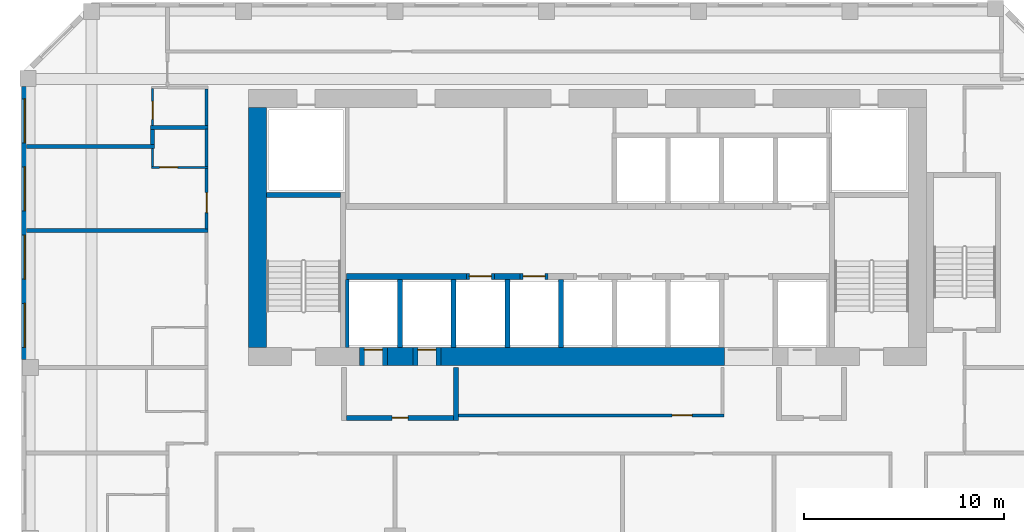
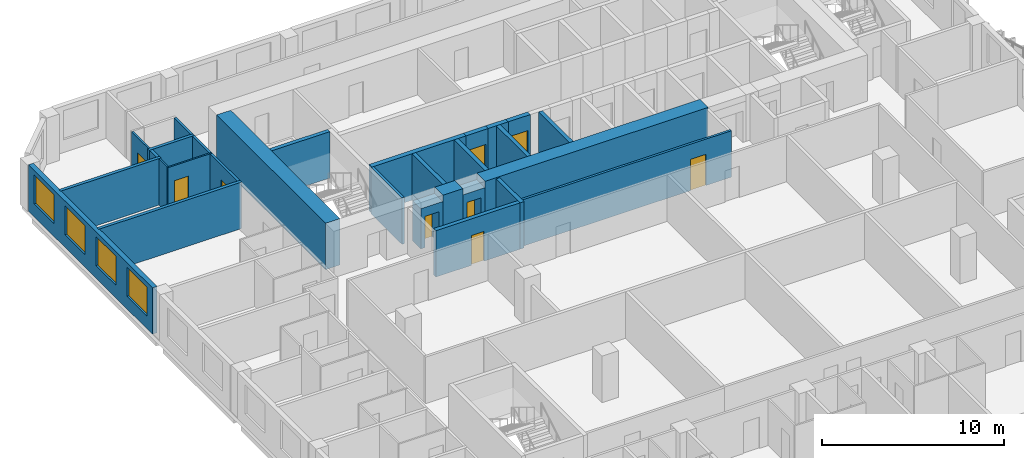
# One storey, part 7 of 23: 29 walls, 9 doors, 4 windows, 13 openings.
"""IFC4 building model written with IfcOpenShell, lengths in metres."""

from ifc_helpers import new_model, si_unit, direction, frame, frame_2d, origin, place, context, subcontext, project, spatial, rectangle, extrude, source, transform, mapped, material, layer, layer_set, type_object, element, fill, save


model = new_model("IFC4")

# Units and contexts
model_context = context("Model", 3, precision=1e-05, world=origin(), true_north=direction((0.0, 1.0)))
body_context = subcontext(model_context, "Body", "Model", "MODEL_VIEW")
ifc_project = project(units=[si_unit("LENGTHUNIT", "METRE"), si_unit("AREAUNIT", "SQUARE_METRE"), si_unit("VOLUMEUNIT", "CUBIC_METRE"), si_unit("PLANEANGLEUNIT", "RADIAN"), si_unit("MASSUNIT", "GRAM", prefix="KILO")], contexts=[model_context])

# Site, building, storey
site_placement = place(None, origin())
site = spatial("IfcSite", under=ifc_project, at=site_placement, CompositionType="ELEMENT")
building_placement = place(site_placement, origin())
building = spatial("IfcBuilding", under=site, at=building_placement, Name="Kilnfold Tower and Market Hall", CompositionType="ELEMENT")
storey_placement = place(building_placement, frame((0.0, 0.0, 178.699951171875)))
storey = spatial("IfcBuildingStorey", under=building, at=storey_placement, Name="L42", CompositionType="ELEMENT", Elevation=178.699951171875)

# Wall, opening, door
ifc_material_1 = material(Name="Gypsum board on steel studs", Category="steel")
ifc_layer_1 = layer(ifc_material_1, 0.14990234375)
ifc_layer_set_1 = layer_set([ifc_layer_1], Name="Gypsum board on steel studs")
wall_type_1 = type_object("IfcWallType", Name="WALL CORRIDOR 150", PredefinedType="PARTITIONING", material=ifc_layer_set_1)
wall_1_placement = place(storey_placement, frame((-18.0, 14.927001953125, 0.0), z_axis=(0.0, 0.0, 1.0), x_axis=(0.0, 1.0, 0.0)))
wall_1 = element("IfcWall", 1, at=wall_1_placement, inside=storey, type_object=wall_type_1, Name="Partition LY27.24", PredefinedType="PARTITIONING", context=body_context, shape_type="SweptSolid", body=[
    extrude(rectangle(XDim=3.032958984375, YDim=0.14990234375, at=frame_2d((1.5166015625, 0.0))), origin(), (0.0, 0.0, 1.0), 3.1201171875),
])
opening_1_placement = place(wall_1_placement, frame((0.81201171875, 0.0, 0.0)))
opening_1 = element("IfcOpeningElement", 2, at=opening_1_placement, cuts=wall_1, Name="Opening D1", PredefinedType="OPENING", context=body_context, shape_type="SweptSolid", body=[
    extrude(rectangle(XDim=1.0, YDim=2.10009765625, at=frame_2d((0.5, 1.050048828125))), frame((0.0, 0.0849609375, 0.0), z_axis=(0.0, -1.0, 0.0), x_axis=(1.0, 0.0, 0.0)), (0.0, 0.0, 1.0), 0.169921875),
])
ifc_material_2 = material(Name="Timber veneer door leaf in steel frame", Category="steel")
door_type_1 = type_object("IfcDoorType", Name="DOOR ENTRY 1000 X2100", OperationType="NOTDEFINED", PredefinedType="DOOR", material=ifc_material_2)
door_1_placement = place(opening_1_placement, origin())
door_1 = element("IfcDoor", 3, at=door_1_placement, inside=storey, type_object=door_type_1, Name="Door D1", OperationType="SINGLE_SWING_LEFT", OverallHeight=2.10009765625, OverallWidth=1.0, PredefinedType="DOOR", context=body_context, shape_type="SweptSolid", body=[
    extrude(rectangle(XDim=1.0, YDim=2.10009765625, at=frame_2d((0.5, 1.050048828125))), frame((0.0, 0.02490234375, 0.0), z_axis=(0.0, -1.0, 0.0), x_axis=(1.0, 0.0, 0.0)), (0.0, 0.0, 1.0), 0.050048828125),
])
fill(opening_1, door_1)

# Walls
wall_2_placement = place(storey_placement, frame((-18.0, 18.0400390625, 0.0), z_axis=(0.0, 0.0, 1.0), x_axis=(0.0, 1.0, 0.0)))
element("IfcWall", 4, at=wall_2_placement, inside=storey, type_object=wall_type_1, Name="Partition LY27.25", PredefinedType="PARTITIONING", context=body_context, shape_type="SweptSolid", body=[
    extrude(rectangle(XDim=1.869873046875, YDim=0.14990234375, at=frame_2d((0.93505859375, 0.0))), origin(), (0.0, 0.0, 1.0), 3.1201171875),
])
wall_3_placement = place(storey_placement, frame((-18.0, 20.090087890625, 0.0), z_axis=(0.0, 0.0, 1.0), x_axis=(0.0, 1.0, 0.0)))
element("IfcWall", 5, at=wall_3_placement, inside=storey, type_object=wall_type_1, Name="Partition LY27.27", PredefinedType="PARTITIONING", context=body_context, shape_type="SweptSolid", body=[
    extrude(rectangle(XDim=1.8349609375, YDim=0.14990234375, at=frame_2d((0.91748046875, 0.0))), origin(), (0.0, 0.0, 1.0), 3.1201171875),
])

# Wall, opening, door
wall_4_placement = place(storey_placement, frame((7.875, 5.60009765625, 0.0), z_axis=(0.0, 0.0, 1.0), x_axis=(-1.0, 0.0, 0.0)))
wall_4 = element("IfcWall", 6, at=wall_4_placement, inside=storey, type_object=wall_type_1, Name="Partition LY27.40", PredefinedType="PARTITIONING", context=body_context, shape_type="SweptSolid", body=[
    extrude(rectangle(XDim=13.27490234375, YDim=0.14990234375, at=frame_2d((6.637451171875, 0.0))), origin(), (0.0, 0.0, 1.0), 3.1201171875),
])
opening_2_placement = place(wall_4_placement, frame((1.60888671875, 0.0, 0.0)))
opening_2 = element("IfcOpeningElement", 7, at=opening_2_placement, cuts=wall_4, Name="Opening D1", PredefinedType="OPENING", context=body_context, shape_type="SweptSolid", body=[
    extrude(rectangle(XDim=1.0, YDim=2.10009765625, at=frame_2d((0.5, 1.050048828125))), frame((0.0, 0.0849609375, 0.0), z_axis=(0.0, -1.0, 0.0), x_axis=(1.0, 0.0, 0.0)), (0.0, 0.0, 1.0), 0.169921875),
])
door_2_placement = place(opening_2_placement, origin())
door_2 = element("IfcDoor", 8, at=door_2_placement, inside=storey, type_object=door_type_1, Name="Door D1", OperationType="SINGLE_SWING_LEFT", OverallHeight=2.10009765625, OverallWidth=1.0, PredefinedType="DOOR", context=body_context, shape_type="SweptSolid", body=[
    extrude(rectangle(XDim=1.0, YDim=2.10009765625, at=frame_2d((0.5, 1.050048828125))), frame((0.0, 0.02490234375, 0.0), z_axis=(0.0, -1.0, 0.0), x_axis=(1.0, 0.0, 0.0)), (0.0, 0.0, 1.0), 0.050048828125),
])
fill(opening_2, door_2)

ifc_material_3 = material(Name="Gypsum board on steel studs", Category="steel")
ifc_layer_2 = layer(ifc_material_3, 0.10009765625)
ifc_layer_set_2 = layer_set([ifc_layer_2], Name="Gypsum board on steel studs")
wall_type_2 = type_object("IfcWallType", Name="WALL PARTITION 100", PredefinedType="PARTITIONING", material=ifc_layer_set_2)
wall_5_placement = place(storey_placement, frame((-17.927001953125, 18.0, 0.0), z_axis=(0.0, 0.0, 1.0), x_axis=(-1.0, 0.0, 0.0)))
wall_5 = element("IfcWall", 9, at=wall_5_placement, inside=storey, type_object=wall_type_2, Name="Partition LY27.103", PredefinedType="PARTITIONING", context=body_context, shape_type="SweptSolid", body=[
    extrude(rectangle(XDim=2.824951171875, YDim=0.10009765625, at=frame_2d((1.41259765625, 0.0))), origin(), (0.0, 0.0, 1.0), 3.1201171875),
])
opening_3_placement = place(wall_5_placement, frame((1.52197265625, 0.0, 0.0)))
opening_3 = element("IfcOpeningElement", 10, at=opening_3_placement, cuts=wall_5, Name="Opening D3", PredefinedType="OPENING", context=body_context, shape_type="SweptSolid", body=[
    extrude(rectangle(XDim=0.89990234375, YDim=2.10009765625, at=frame_2d((0.449951171875, 1.050048828125))), frame((0.0, 0.06005859375, 0.0), z_axis=(0.0, -1.0, 0.0), x_axis=(1.0, 0.0, 0.0)), (0.0, 0.0, 1.0), 0.1201171875),
])
ifc_material_4 = material(Name="Timber veneer door leaf in steel frame", Category="steel")
door_type_2 = type_object("IfcDoorType", Name="DOOR WC 900 X2100", OperationType="NOTDEFINED", PredefinedType="DOOR", material=ifc_material_4)
door_3_placement = place(opening_3_placement, origin())
door_3 = element("IfcDoor", 11, at=door_3_placement, inside=storey, type_object=door_type_2, Name="Door D3", OperationType="SINGLE_SWING_RIGHT", OverallHeight=2.10009765625, OverallWidth=0.89990234375, PredefinedType="DOOR", context=body_context, shape_type="SweptSolid", body=[
    extrude(rectangle(XDim=0.89990234375, YDim=2.10009765625, at=frame_2d((0.449951171875, 1.050048828125))), frame((0.0, 0.02490234375, 0.0), z_axis=(0.0, -1.0, 0.0), x_axis=(1.0, 0.0, 0.0)), (0.0, 0.0, 1.0), 0.050048828125),
])
fill(opening_3, door_3)

# Wall
wall_6_placement = place(storey_placement, frame((-20.701904296875, 18.050048828125, 0.0), z_axis=(0.0, 0.0, 1.0), x_axis=(0.0, 1.0, 0.0)))
element("IfcWall", 12, at=wall_6_placement, inside=storey, type_object=wall_type_2, Name="Partition LY27.104", PredefinedType="PARTITIONING", context=body_context, shape_type="SweptSolid", body=[
    extrude(rectangle(XDim=0.90283203125, YDim=0.10009765625, at=frame_2d((0.451416015625, 0.0))), origin(), (0.0, 0.0, 1.0), 3.1201171875),
])

# Wall, opening, door
wall_7_placement = place(storey_placement, frame((-20.701904296875, 20.090087890625, 0.0), z_axis=(0.0, 0.0, 1.0), x_axis=(0.0, 1.0, 0.0)))
wall_7 = element("IfcWall", 13, at=wall_7_placement, inside=storey, type_object=wall_type_2, Name="Partition LY27.109", PredefinedType="PARTITIONING", context=body_context, shape_type="SweptSolid", body=[
    extrude(rectangle(XDim=1.85986328125, YDim=0.10009765625, at=frame_2d((0.929931640625, 0.0))), origin(), (0.0, 0.0, 1.0), 3.1201171875),
])
opening_4_placement = place(wall_7_placement, frame((0.31201171875, 0.0, 0.0)))
opening_4 = element("IfcOpeningElement", 14, at=opening_4_placement, cuts=wall_7, Name="Opening D3", PredefinedType="OPENING", context=body_context, shape_type="SweptSolid", body=[
    extrude(rectangle(XDim=0.89990234375, YDim=2.10009765625, at=frame_2d((0.449951171875, 1.050048828125))), frame((0.0, 0.06005859375, 0.0), z_axis=(0.0, -1.0, 0.0), x_axis=(1.0, 0.0, 0.0)), (0.0, 0.0, 1.0), 0.1201171875),
])
door_4_placement = place(opening_4_placement, origin())
door_4 = element("IfcDoor", 15, at=door_4_placement, inside=storey, type_object=door_type_2, Name="Door D3", OperationType="SINGLE_SWING_RIGHT", OverallHeight=2.10009765625, OverallWidth=0.89990234375, PredefinedType="DOOR", context=body_context, shape_type="SweptSolid", body=[
    extrude(rectangle(XDim=0.89990234375, YDim=2.10009765625, at=frame_2d((0.449951171875, 1.050048828125))), frame((0.0, 0.02490234375, 0.0), z_axis=(0.0, -1.0, 0.0), x_axis=(1.0, 0.0, 0.0)), (0.0, 0.0, 1.0), 0.050048828125),
])
fill(opening_4, door_4)

# Walls
ifc_material_5 = material(Name="Gypsum board on steel studs", Category="steel")
ifc_layer_3 = layer(ifc_material_5, 0.199951171875)
ifc_layer_set_3 = layer_set([ifc_layer_3], Name="Gypsum board on steel studs")
wall_type_3 = type_object("IfcWallType", Name="WALL PARTY 200", PredefinedType="PARTITIONING", material=ifc_layer_set_3)
wall_8_placement = place(storey_placement, frame((-17.927001953125, 14.8369140625, 0.0), z_axis=(0.0, 0.0, 1.0), x_axis=(-1.0, 0.0, 0.0)))
element("IfcWall", 16, at=wall_8_placement, inside=storey, type_object=wall_type_3, Name="Partition LY27.102", PredefinedType="PARTITIONING", context=body_context, shape_type="SweptSolid", body=[
    extrude(rectangle(XDim=9.072998046875, YDim=0.199951171875, at=frame_2d((4.53662109375, 0.0))), origin(), (0.0, 0.0, 1.0), 3.1201171875),
])
wall_9_placement = place(storey_placement, frame((-20.60205078125, 19.052978515625, 0.0), z_axis=(0.0, 0.0, 1.0), x_axis=(-1.0, 0.0, 0.0)))
element("IfcWall", 17, at=wall_9_placement, inside=storey, type_object=wall_type_3, Name="Partition LY27.105", PredefinedType="PARTITIONING", context=body_context, shape_type="SweptSolid", body=[
    extrude(rectangle(XDim=6.39794921875, YDim=0.199951171875, at=frame_2d((3.198974609375, 0.0))), origin(), (0.0, 0.0, 1.0), 3.1201171875),
])
wall_10_placement = place(storey_placement, frame((-20.701904296875, 19.89990234375, 0.0), z_axis=(0.0, 0.0, 1.0), x_axis=(0.0, -1.0, 0.0)))
element("IfcWall", 18, at=wall_10_placement, inside=storey, type_object=wall_type_3, Name="Partition LY27.106", PredefinedType="PARTITIONING", context=body_context, shape_type="SweptSolid", body=[
    extrude(rectangle(XDim=0.7568359375, YDim=0.199951171875, at=frame_2d((0.37841796875, 0.0))), origin(), (0.0, 0.0, 1.0), 3.1201171875),
])
wall_11_placement = place(storey_placement, frame((-17.927001953125, 20.0, 0.0), z_axis=(0.0, 0.0, 1.0), x_axis=(-1.0, 0.0, 0.0)))
element("IfcWall", 19, at=wall_11_placement, inside=storey, type_object=wall_type_3, Name="Partition LY27.107", PredefinedType="PARTITIONING", context=body_context, shape_type="SweptSolid", body=[
    extrude(rectangle(XDim=2.875, YDim=0.199951171875, at=frame_2d((1.4375, 0.0))), origin(), (0.0, 0.0, 1.0), 3.1201171875),
])
ifc_material_6 = material(Name="Concrete C70", Category="concrete")
ifc_layer_4 = layer(ifc_material_6, 0.89990234375)
ifc_layer_set_4 = layer_set([ifc_layer_4], Name="Concrete C70")
wall_type_4 = type_object("IfcWallType", Name="CORE WALL 900 C70", PredefinedType="SHEAR", material=ifc_layer_set_4)
shared_shape_1 = source(origin(), body_context, "Body", "SweptSolid", [
    extrude(rectangle(XDim=1.280029296875, YDim=0.89990234375, at=frame_2d((0.64013671875, 0.0))), origin(), (0.0, 0.0, 1.0), 3.1201171875),
])
wall_12_placement = place(storey_placement, frame((-8.969970703125, 8.550048828125, 0.0), z_axis=(0.0, 0.0, 1.0), x_axis=(1.0, 0.0, 0.0)))
element("IfcWall", 20, at=wall_12_placement, inside=storey, type_object=wall_type_4, Name="Core outer wall south", PredefinedType="SHEAR", context=body_context, shape_type="MappedRepresentation", body=[
    mapped(shared_shape_1, transform((0.0, 0.0, 0.0))),
])
shared_shape_2 = source(origin(), body_context, "Body", "SweptSolid", [
    extrude(rectangle(XDim=14.179931640625, YDim=0.89990234375, at=frame_2d((7.08984375, 0.0))), origin(), (0.0, 0.0, 1.0), 3.1201171875),
])
wall_13_placement = place(storey_placement, frame((-6.2900390625, 8.550048828125, 0.0), z_axis=(0.0, 0.0, 1.0), x_axis=(1.0, 0.0, 0.0)))
element("IfcWall", 21, at=wall_13_placement, inside=storey, type_object=wall_type_4, Name="Core outer wall south", PredefinedType="SHEAR", context=body_context, shape_type="MappedRepresentation", body=[
    mapped(shared_shape_2, transform((0.0, 0.0, 0.0))),
])
shared_shape_3 = source(origin(), body_context, "Body", "SweptSolid", [
    extrude(rectangle(XDim=12.0, YDim=0.89990234375, at=frame_2d((6.0, 0.0))), origin(), (0.0, 0.0, 1.0), 3.1201171875),
])
wall_14_placement = place(storey_placement, frame((-15.449951171875, 9.0, 0.0), z_axis=(0.0, 0.0, 1.0), x_axis=(0.0, 1.0, 0.0)))
element("IfcWall", 22, at=wall_14_placement, inside=storey, type_object=wall_type_4, Name="Core outer wall west", PredefinedType="SHEAR", context=body_context, shape_type="MappedRepresentation", body=[
    mapped(shared_shape_3, transform((0.0, 0.0, 0.0))),
])
ifc_material_7 = material(Name="Concrete C70", Category="concrete")
ifc_layer_5 = layer(ifc_material_7, 0.25)
ifc_layer_set_5 = layer_set([ifc_layer_5], Name="Concrete C70")
wall_type_5 = type_object("IfcWallType", Name="CORE WALL 250 C70", PredefinedType="SHEAR", material=ifc_layer_set_5)
shared_shape_4 = source(origin(), body_context, "Body", "SweptSolid", [
    extrude(rectangle(XDim=3.699951171875, YDim=0.25, at=frame_2d((1.85009765625, 0.0))), origin(), (0.0, 0.0, 1.0), 3.1201171875),
])
wall_15_placement = place(storey_placement, frame((-15.0, 16.625, 0.0), z_axis=(0.0, 0.0, 1.0), x_axis=(1.0, 0.0, 0.0)))
element("IfcWall", 23, at=wall_15_placement, inside=storey, type_object=wall_type_5, Name="Stair enclosure ST1", PredefinedType="SHEAR", context=body_context, shape_type="MappedRepresentation", body=[
    mapped(shared_shape_4, transform((0.0, 0.0, 0.0))),
])
ifc_material_8 = material(Name="Concrete C70", Category="concrete")
ifc_layer_6 = layer(ifc_material_8, 0.300048828125)
ifc_layer_set_6 = layer_set([ifc_layer_6], Name="Concrete C70")
wall_type_6 = type_object("IfcWallType", Name="CORE WALL 300 C70", PredefinedType="SHEAR", material=ifc_layer_set_6)
shared_shape_5 = source(origin(), body_context, "Body", "SweptSolid", [
    extrude(rectangle(XDim=6.0, YDim=0.300048828125, at=frame_2d((3.0, 0.0))), origin(), (0.0, 0.0, 1.0), 3.1201171875),
])
wall_16_placement = place(storey_placement, frame((-11.010009765625, 12.550048828125, 0.0), z_axis=(0.0, 0.0, 1.0), x_axis=(1.0, 0.0, 0.0)))
element("IfcWall", 24, at=wall_16_placement, inside=storey, type_object=wall_type_6, Name="Core spine wall", PredefinedType="SHEAR", context=body_context, shape_type="MappedRepresentation", body=[
    mapped(shared_shape_5, transform((0.0, 0.0, 0.0))),
])
shared_shape_6 = source(origin(), body_context, "Body", "SweptSolid", [
    extrude(rectangle(XDim=1.280029296875, YDim=0.300048828125, at=frame_2d((0.64013671875, 0.0))), origin(), (0.0, 0.0, 1.0), 3.1201171875),
])
wall_17_placement = place(storey_placement, frame((-3.610107421875, 12.550048828125, 0.0), z_axis=(0.0, 0.0, 1.0), x_axis=(1.0, 0.0, 0.0)))
element("IfcWall", 25, at=wall_17_placement, inside=storey, type_object=wall_type_6, Name="Core spine wall", PredefinedType="SHEAR", context=body_context, shape_type="MappedRepresentation", body=[
    mapped(shared_shape_6, transform((0.0, 0.0, 0.0))),
])

# Wall, openings, windows
ifc_material_9 = material(Name="Precast concrete C50/60", Category="concrete")
ifc_layer_7 = layer(ifc_material_9, 0.300048828125)
ifc_layer_set_7 = layer_set([ifc_layer_7], Name="Precast concrete C50/60")
wall_type_7 = type_object("IfcWallType", Name="PRECAST WALL 300", PredefinedType="SOLIDWALL", material=ifc_layer_set_7)
shared_shape_7 = source(origin(), body_context, "Body", "SweptSolid", [
    extrude(rectangle(XDim=13.6318359375, YDim=0.300048828125, at=frame_2d((6.81591796875, 0.0))), origin(), (0.0, 0.0, 1.0), 3.1201171875),
])
wall_18_placement = place(storey_placement, frame((-27.10009765625, 22.03173828125, 0.0), z_axis=(0.0, 0.0, 1.0), x_axis=(0.0, -1.0, 0.0)))
wall_18 = element("IfcWall", 26, at=wall_18_placement, inside=storey, type_object=wall_type_7, Name="External wall L42 W", PredefinedType="SOLIDWALL", context=body_context, shape_type="MappedRepresentation", body=[
    mapped(shared_shape_7, transform((0.0, 0.0, 0.0))),
])
opening_5_placement = place(wall_18_placement, frame((0.60400390625, 0.0, 0.85009765625)))
opening_5 = element("IfcOpeningElement", 27, at=opening_5_placement, cuts=wall_18, Name="Opening W2", PredefinedType="OPENING", context=body_context, shape_type="SweptSolid", body=[
    extrude(rectangle(XDim=2.199951171875, YDim=1.949951171875, at=frame_2d((1.10009765625, 0.97509765625))), frame((0.0, 0.16015625, 0.0), z_axis=(0.0, -1.0, 0.0), x_axis=(1.0, 0.0, 0.0)), (0.0, 0.0, 1.0), 0.320068359375),
])
opening_6_placement = place(wall_18_placement, frame((4.011962890625, 0.0, 0.85009765625)))
opening_6 = element("IfcOpeningElement", 28, at=opening_6_placement, cuts=wall_18, Name="Opening W2", PredefinedType="OPENING", context=body_context, shape_type="SweptSolid", body=[
    extrude(rectangle(XDim=2.199951171875, YDim=1.949951171875, at=frame_2d((1.10009765625, 0.97509765625))), frame((0.0, 0.16015625, 0.0), z_axis=(0.0, -1.0, 0.0), x_axis=(1.0, 0.0, 0.0)), (0.0, 0.0, 1.0), 0.320068359375),
])
opening_7_placement = place(wall_18_placement, frame((7.419921875, 0.0, 0.85009765625)))
opening_7 = element("IfcOpeningElement", 29, at=opening_7_placement, cuts=wall_18, Name="Opening W2", PredefinedType="OPENING", context=body_context, shape_type="SweptSolid", body=[
    extrude(rectangle(XDim=2.199951171875, YDim=1.949951171875, at=frame_2d((1.10009765625, 0.97509765625))), frame((0.0, 0.16015625, 0.0), z_axis=(0.0, -1.0, 0.0), x_axis=(1.0, 0.0, 0.0)), (0.0, 0.0, 1.0), 0.320068359375),
])
opening_8_placement = place(wall_18_placement, frame((10.827880859375, 0.0, 0.85009765625)))
opening_8 = element("IfcOpeningElement", 30, at=opening_8_placement, cuts=wall_18, Name="Opening W2", PredefinedType="OPENING", context=body_context, shape_type="SweptSolid", body=[
    extrude(rectangle(XDim=2.199951171875, YDim=1.949951171875, at=frame_2d((1.10009765625, 0.97509765625))), frame((0.0, 0.16015625, 0.0), z_axis=(0.0, -1.0, 0.0), x_axis=(1.0, 0.0, 0.0)), (0.0, 0.0, 1.0), 0.320068359375),
])
ifc_material_10 = material(Name="Aluminium frame and double glazing", Category="aluminium")
window_type = type_object("IfcWindowType", Name="WINDOW W2 2200X1950", PartitioningType="SINGLE_PANEL", PredefinedType="WINDOW", material=ifc_material_10)
window_1_placement = place(opening_5_placement, origin())
window_1 = element("IfcWindow", 31, at=window_1_placement, inside=storey, type_object=window_type, Name="Window W2 L42 W-1", OverallHeight=1.949951171875, OverallWidth=2.199951171875, PartitioningType="SINGLE_PANEL", PredefinedType="WINDOW", context=body_context, shape_type="SweptSolid", body=[
    extrude(rectangle(XDim=2.199951171875, YDim=1.949951171875, at=frame_2d((1.10009765625, 0.97509765625))), frame((0.0, 0.030029296875, 0.0), z_axis=(0.0, -1.0, 0.0), x_axis=(1.0, 0.0, 0.0)), (0.0, 0.0, 1.0), 0.06005859375),
])
fill(opening_5, window_1)
window_2_placement = place(opening_6_placement, origin())
window_2 = element("IfcWindow", 32, at=window_2_placement, inside=storey, type_object=window_type, Name="Window W2 L42 W-2", OverallHeight=1.949951171875, OverallWidth=2.199951171875, PartitioningType="SINGLE_PANEL", PredefinedType="WINDOW", context=body_context, shape_type="SweptSolid", body=[
    extrude(rectangle(XDim=2.199951171875, YDim=1.949951171875, at=frame_2d((1.10009765625, 0.97509765625))), frame((0.0, 0.030029296875, 0.0), z_axis=(0.0, -1.0, 0.0), x_axis=(1.0, 0.0, 0.0)), (0.0, 0.0, 1.0), 0.06005859375),
])
fill(opening_6, window_2)
window_3_placement = place(opening_7_placement, origin())
window_3 = element("IfcWindow", 33, at=window_3_placement, inside=storey, type_object=window_type, Name="Window W2 L42 W-3", OverallHeight=1.949951171875, OverallWidth=2.199951171875, PartitioningType="SINGLE_PANEL", PredefinedType="WINDOW", context=body_context, shape_type="SweptSolid", body=[
    extrude(rectangle(XDim=2.199951171875, YDim=1.949951171875, at=frame_2d((1.10009765625, 0.97509765625))), frame((0.0, 0.030029296875, 0.0), z_axis=(0.0, -1.0, 0.0), x_axis=(1.0, 0.0, 0.0)), (0.0, 0.0, 1.0), 0.06005859375),
])
fill(opening_7, window_3)
window_4_placement = place(opening_8_placement, origin())
window_4 = element("IfcWindow", 34, at=window_4_placement, inside=storey, type_object=window_type, Name="Window W2 L42 W-4", OverallHeight=1.949951171875, OverallWidth=2.199951171875, PartitioningType="SINGLE_PANEL", PredefinedType="WINDOW", context=body_context, shape_type="SweptSolid", body=[
    extrude(rectangle(XDim=2.199951171875, YDim=1.949951171875, at=frame_2d((1.10009765625, 0.97509765625))), frame((0.0, 0.030029296875, 0.0), z_axis=(0.0, -1.0, 0.0), x_axis=(1.0, 0.0, 0.0)), (0.0, 0.0, 1.0), 0.06005859375),
])
fill(opening_8, window_4)

# Wall, opening, door
ifc_material_11 = material(Name="Gypsum shaft wall system")
ifc_layer_8 = layer(ifc_material_11, 0.89990234375)
ifc_layer_set_8 = layer_set([ifc_layer_8], Name="Gypsum shaft wall system")
wall_type_8 = type_object("IfcWallType", Name="LOBBY WALL 900", PredefinedType="PARTITIONING", material=ifc_layer_set_8)
shared_shape_8 = source(origin(), body_context, "Body", "SweptSolid", [
    extrude(rectangle(XDim=1.400146484375, YDim=0.89990234375, at=frame_2d((0.7001953125, 0.0))), origin(), (0.0, 0.0, 1.0), 2.699951171875),
])
wall_19_placement = place(storey_placement, frame((-10.3701171875, 8.550048828125, 0.0), z_axis=(0.0, 0.0, 1.0), x_axis=(1.0, 0.0, 0.0)))
wall_19 = element("IfcWall", 35, at=wall_19_placement, inside=storey, type_object=wall_type_8, Name="Core wall infill", PredefinedType="PARTITIONING", context=body_context, shape_type="MappedRepresentation", body=[
    mapped(shared_shape_8, transform((0.0, 0.0, 0.0))),
])
opening_9_placement = place(wall_19_placement, frame((0.25, 0.0, 0.0)))
opening_9 = element("IfcOpeningElement", 36, at=opening_9_placement, cuts=wall_19, Name="Opening LD1", PredefinedType="OPENING", context=body_context, shape_type="SweptSolid", body=[
    extrude(rectangle(XDim=0.89990234375, YDim=2.10009765625, at=frame_2d((0.449951171875, 1.050048828125))), frame((0.0, 0.4599609375, 0.0), z_axis=(0.0, -1.0, 0.0), x_axis=(1.0, 0.0, 0.0)), (0.0, 0.0, 1.0), 0.919921875),
])
ifc_material_12 = material(Name="Steel door set with fire-resisting leaf", Category="steel")
door_type_3 = type_object("IfcDoorType", Name="FIREFIGHTING LANDING DOOR 900X2100", OperationType="NOTDEFINED", PredefinedType="DOOR", material=ifc_material_12)
door_5_placement = place(opening_9_placement, origin())
door_5 = element("IfcDoor", 37, at=door_5_placement, inside=storey, type_object=door_type_3, Name="Landing door FF1", OperationType="SLIDING_TO_LEFT", OverallHeight=2.10009765625, OverallWidth=0.89990234375, PredefinedType="DOOR", context=body_context, shape_type="SweptSolid", body=[
    extrude(rectangle(XDim=0.89990234375, YDim=2.10009765625, at=frame_2d((0.449951171875, 1.050048828125))), frame((0.0, 0.35498046875, 0.0), z_axis=(0.0, -1.0, 0.0), x_axis=(1.0, 0.0, 0.0)), (0.0, 0.0, 1.0), 0.050048828125),
])
fill(opening_9, door_5)

shared_shape_9 = source(origin(), body_context, "Body", "SweptSolid", [
    extrude(rectangle(XDim=1.39990234375, YDim=0.89990234375, at=frame_2d((0.699951171875, 0.0))), origin(), (0.0, 0.0, 1.0), 2.699951171875),
])
wall_20_placement = place(storey_placement, frame((-7.68994140625, 8.550048828125, 0.0), z_axis=(0.0, 0.0, 1.0), x_axis=(1.0, 0.0, 0.0)))
wall_20 = element("IfcWall", 38, at=wall_20_placement, inside=storey, type_object=wall_type_8, Name="Core wall infill", PredefinedType="PARTITIONING", context=body_context, shape_type="MappedRepresentation", body=[
    mapped(shared_shape_9, transform((0.0, 0.0, 0.0))),
])
opening_10_placement = place(wall_20_placement, frame((0.25, 0.0, 0.0)))
opening_10 = element("IfcOpeningElement", 39, at=opening_10_placement, cuts=wall_20, Name="Opening LD1", PredefinedType="OPENING", context=body_context, shape_type="SweptSolid", body=[
    extrude(rectangle(XDim=0.89990234375, YDim=2.10009765625, at=frame_2d((0.449951171875, 1.050048828125))), frame((0.0, 0.4599609375, 0.0), z_axis=(0.0, -1.0, 0.0), x_axis=(1.0, 0.0, 0.0)), (0.0, 0.0, 1.0), 0.919921875),
])
door_6_placement = place(opening_10_placement, origin())
door_6 = element("IfcDoor", 40, at=door_6_placement, inside=storey, type_object=door_type_3, Name="Landing door FF2", OperationType="SLIDING_TO_RIGHT", OverallHeight=2.10009765625, OverallWidth=0.89990234375, PredefinedType="DOOR", context=body_context, shape_type="SweptSolid", body=[
    extrude(rectangle(XDim=0.89990234375, YDim=2.10009765625, at=frame_2d((0.449951171875, 1.050048828125))), frame((0.0, 0.35498046875, 0.0), z_axis=(0.0, -1.0, 0.0), x_axis=(1.0, 0.0, 0.0)), (0.0, 0.0, 1.0), 0.050048828125),
])
fill(opening_10, door_6)

ifc_material_13 = material(Name="Gypsum shaft wall system")
ifc_layer_9 = layer(ifc_material_13, 0.300048828125)
ifc_layer_set_9 = layer_set([ifc_layer_9], Name="Gypsum shaft wall system")
wall_type_9 = type_object("IfcWallType", Name="SHAFT WALL 300", PredefinedType="PARTITIONING", material=ifc_layer_set_9)
shared_shape_10 = source(origin(), body_context, "Body", "SweptSolid", [
    extrude(rectangle(XDim=1.39990234375, YDim=0.300048828125, at=frame_2d((0.699951171875, 0.0))), origin(), (0.0, 0.0, 1.0), 3.1201171875),
])
wall_21_placement = place(storey_placement, frame((-5.010009765625, 12.550048828125, 0.0), z_axis=(0.0, 0.0, 1.0), x_axis=(1.0, 0.0, 0.0)))
wall_21 = element("IfcWall", 41, at=wall_21_placement, inside=storey, type_object=wall_type_9, Name="Lift shaft front wall", PredefinedType="PARTITIONING", context=body_context, shape_type="MappedRepresentation", body=[
    mapped(shared_shape_10, transform((0.0, 0.0, 0.0))),
])
opening_11_placement = place(wall_21_placement, frame((0.14990234375, 0.0, 0.0)))
opening_11 = element("IfcOpeningElement", 42, at=opening_11_placement, cuts=wall_21, Name="Opening LD2", PredefinedType="OPENING", context=body_context, shape_type="SweptSolid", body=[
    extrude(rectangle(XDim=1.10009765625, YDim=2.10009765625, at=frame_2d((0.550048828125, 1.050048828125))), frame((0.0, 0.16015625, 0.0), z_axis=(0.0, -1.0, 0.0), x_axis=(1.0, 0.0, 0.0)), (0.0, 0.0, 1.0), 0.320068359375),
])
ifc_material_14 = material(Name="Steel door set with fire-resisting leaf", Category="steel")
door_type_4 = type_object("IfcDoorType", Name="LANDING DOOR 1100X2100", OperationType="NOTDEFINED", PredefinedType="DOOR", material=ifc_material_14)
door_7_placement = place(opening_11_placement, origin())
door_7 = element("IfcDoor", 43, at=door_7_placement, inside=storey, type_object=door_type_4, Name="Landing door MR1", OperationType="DOUBLE_DOOR_SLIDING", OverallHeight=2.10009765625, OverallWidth=1.10009765625, PredefinedType="DOOR", context=body_context, shape_type="SweptSolid", body=[
    extrude(rectangle(XDim=1.10009765625, YDim=2.10009765625, at=frame_2d((0.550048828125, 1.050048828125))), frame((0.0, 0.02490234375, 0.0), z_axis=(0.0, -1.0, 0.0), x_axis=(1.0, 0.0, 0.0)), (0.0, 0.0, 1.0), 0.050048828125),
])
fill(opening_11, door_7)

shared_shape_11 = source(origin(), body_context, "Body", "SweptSolid", [
    extrude(rectangle(XDim=1.400146484375, YDim=0.300048828125, at=frame_2d((0.7001953125, 0.0))), origin(), (0.0, 0.0, 1.0), 3.1201171875),
])
wall_22_placement = place(storey_placement, frame((-2.330078125, 12.550048828125, 0.0), z_axis=(0.0, 0.0, 1.0), x_axis=(1.0, 0.0, 0.0)))
wall_22 = element("IfcWall", 44, at=wall_22_placement, inside=storey, type_object=wall_type_9, Name="Lift shaft front wall", PredefinedType="PARTITIONING", context=body_context, shape_type="MappedRepresentation", body=[
    mapped(shared_shape_11, transform((0.0, 0.0, 0.0))),
])
opening_12_placement = place(wall_22_placement, frame((0.14990234375, 0.0, 0.0)))
opening_12 = element("IfcOpeningElement", 45, at=opening_12_placement, cuts=wall_22, Name="Opening LD2", PredefinedType="OPENING", context=body_context, shape_type="SweptSolid", body=[
    extrude(rectangle(XDim=1.10009765625, YDim=2.10009765625, at=frame_2d((0.550048828125, 1.050048828125))), frame((0.0, 0.16015625, 0.0), z_axis=(0.0, -1.0, 0.0), x_axis=(1.0, 0.0, 0.0)), (0.0, 0.0, 1.0), 0.320068359375),
])
door_8_placement = place(opening_12_placement, origin())
door_8 = element("IfcDoor", 46, at=door_8_placement, inside=storey, type_object=door_type_4, Name="Landing door MR2", OperationType="DOUBLE_DOOR_SLIDING", OverallHeight=2.10009765625, OverallWidth=1.10009765625, PredefinedType="DOOR", context=body_context, shape_type="SweptSolid", body=[
    extrude(rectangle(XDim=1.10009765625, YDim=2.10009765625, at=frame_2d((0.550048828125, 1.050048828125))), frame((0.0, 0.02490234375, 0.0), z_axis=(0.0, -1.0, 0.0), x_axis=(1.0, 0.0, 0.0)), (0.0, 0.0, 1.0), 0.050048828125),
])
fill(opening_12, door_8)

# Wall
ifc_material_15 = material(Name="Gypsum shaft wall system")
ifc_layer_10 = layer(ifc_material_15, 0.25)
ifc_layer_set_10 = layer_set([ifc_layer_10], Name="Gypsum shaft wall system")
wall_type_10 = type_object("IfcWallType", Name="LOBBY WALL 250", PredefinedType="PARTITIONING", material=ifc_layer_set_10)
shared_shape_12 = source(origin(), body_context, "Body", "SweptSolid", [
    extrude(rectangle(XDim=2.64990234375, YDim=0.25, at=frame_2d((1.324951171875, 0.0))), origin(), (0.0, 0.0, 1.0), 3.1201171875),
])
wall_23_placement = place(storey_placement, frame((-5.52490234375, 5.35009765625, 0.0), z_axis=(0.0, 0.0, 1.0), x_axis=(0.0, 1.0, 0.0)))
element("IfcWall", 47, at=wall_23_placement, inside=storey, type_object=wall_type_10, Name="Firefighting lobby wall", PredefinedType="PARTITIONING", context=body_context, shape_type="MappedRepresentation", body=[
    mapped(shared_shape_12, transform((0.0, 0.0, 0.0))),
])

# Wall, opening, door
shared_shape_13 = source(origin(), body_context, "Body", "SweptSolid", [
    extrude(rectangle(XDim=5.360107421875, YDim=0.25, at=frame_2d((2.68017578125, 0.0))), origin(), (0.0, 0.0, 1.0), 3.1201171875),
])
wall_24_placement = place(storey_placement, frame((-11.010009765625, 5.47509765625, 0.0), z_axis=(0.0, 0.0, 1.0), x_axis=(1.0, 0.0, 0.0)))
wall_24 = element("IfcWall", 48, at=wall_24_placement, inside=storey, type_object=wall_type_10, Name="Firefighting lobby wall", PredefinedType="PARTITIONING", context=body_context, shape_type="MappedRepresentation", body=[
    mapped(shared_shape_13, transform((0.0, 0.0, 0.0))),
])
opening_13_placement = place(wall_24_placement, frame((2.280029296875, 0.0, 0.0)))
opening_13 = element("IfcOpeningElement", 49, at=opening_13_placement, cuts=wall_24, Name="Opening VD1", PredefinedType="OPENING", context=body_context, shape_type="SweptSolid", body=[
    extrude(rectangle(XDim=0.800048828125, YDim=2.0, at=frame_2d((0.39990234375, 1.0))), frame((0.0, 0.135009765625, 0.0), z_axis=(0.0, -1.0, 0.0), x_axis=(1.0, 0.0, 0.0)), (0.0, 0.0, 1.0), 0.27001953125),
])
ifc_material_16 = material(Name="Steel door set with fire-resisting leaf", Category="steel")
door_type_5 = type_object("IfcDoorType", Name="FIREFIGHTING LOBBY DOOR 800X2000", OperationType="NOTDEFINED", PredefinedType="DOOR", material=ifc_material_16)
door_9_placement = place(opening_13_placement, origin())
door_9 = element("IfcDoor", 50, at=door_9_placement, inside=storey, type_object=door_type_5, Name="Firefighting lobby door", OperationType="SINGLE_SWING_LEFT", OverallHeight=2.0, OverallWidth=0.800048828125, PredefinedType="DOOR", context=body_context, shape_type="SweptSolid", body=[
    extrude(rectangle(XDim=0.800048828125, YDim=2.0, at=frame_2d((0.39990234375, 1.0))), frame((0.0, 0.02490234375, 0.0), z_axis=(0.0, -1.0, 0.0), x_axis=(1.0, 0.0, 0.0)), (0.0, 0.0, 1.0), 0.050048828125),
])
fill(opening_13, door_9)

# Walls
ifc_material_17 = material(Name="Gypsum shaft wall system")
ifc_layer_11 = layer(ifc_material_17, 0.25)
ifc_layer_set_11 = layer_set([ifc_layer_11], Name="Gypsum shaft wall system")
wall_type_11 = type_object("IfcWallType", Name="SHAFT WALL 250", PredefinedType="PARTITIONING", material=ifc_layer_set_11)
shared_shape_14 = source(origin(), body_context, "Body", "SweptSolid", [
    extrude(rectangle(XDim=3.39990234375, YDim=0.25, at=frame_2d((1.699951171875, 0.0))), origin(), (0.0, 0.0, 1.0), 3.1201171875),
])
for number, where, z_axis, x_axis, name in (
    (51, (-0.2900390625, 9.0, 0.0), (0.0, 0.0, 1.0), (0.0, 1.0, 0.0), "Lift shaft wall"),
    (52, (-2.969970703125, 9.0, 0.0), (0.0, 0.0, 1.0), (0.0, 1.0, 0.0), "Lift shaft wall"),
    (53, (-5.64990234375, 9.0, 0.0), (0.0, 0.0, 1.0), (0.0, 1.0, 0.0), "Lift shaft wall"),
    (54, (-8.330078125, 9.0, 0.0), (0.0, 0.0, 1.0), (0.0, 1.0, 0.0), "Lift shaft wall"),
):
    element("IfcWall", number, at=place(storey_placement, frame(where, z_axis=z_axis, x_axis=x_axis)), inside=storey, type_object=wall_type_11, Name=name, PredefinedType="PARTITIONING", context=body_context, shape_type="MappedRepresentation", body=[
        mapped(shared_shape_14, transform((0.0, 0.0, 0.0))),
    ])
ifc_material_18 = material(Name="Gypsum shaft wall system")
ifc_layer_12 = layer(ifc_material_18, 0.1650390625)
ifc_layer_set_12 = layer_set([ifc_layer_12], Name="Gypsum shaft wall system")
wall_type_12 = type_object("IfcWallType", Name="SHAFT WALL 165", PredefinedType="PARTITIONING", material=ifc_layer_set_12)
shared_shape_15 = source(origin(), body_context, "Body", "SweptSolid", [
    extrude(rectangle(XDim=3.39990234375, YDim=0.1650390625, at=frame_2d((1.699951171875, 0.0))), origin(), (0.0, 0.0, 1.0), 3.1201171875),
])
wall_25_placement = place(storey_placement, frame((-10.967529296875, 9.0, 0.0), z_axis=(0.0, 0.0, 1.0), x_axis=(0.0, 1.0, 0.0)))
element("IfcWall", 55, at=wall_25_placement, inside=storey, type_object=wall_type_12, Name="Lift shaft wall", PredefinedType="PARTITIONING", context=body_context, shape_type="MappedRepresentation", body=[
    mapped(shared_shape_15, transform((0.0, 0.0, 0.0))),
])

save(model, "model.ifc")
